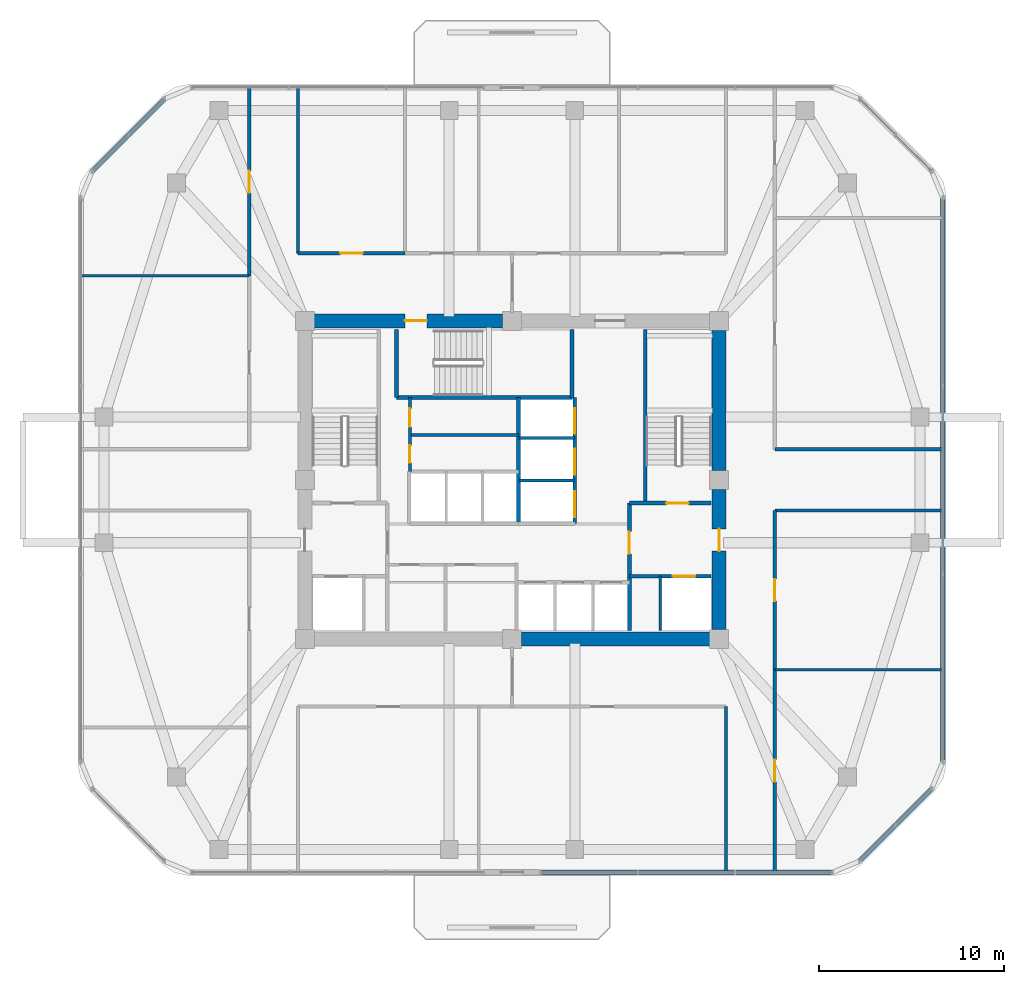
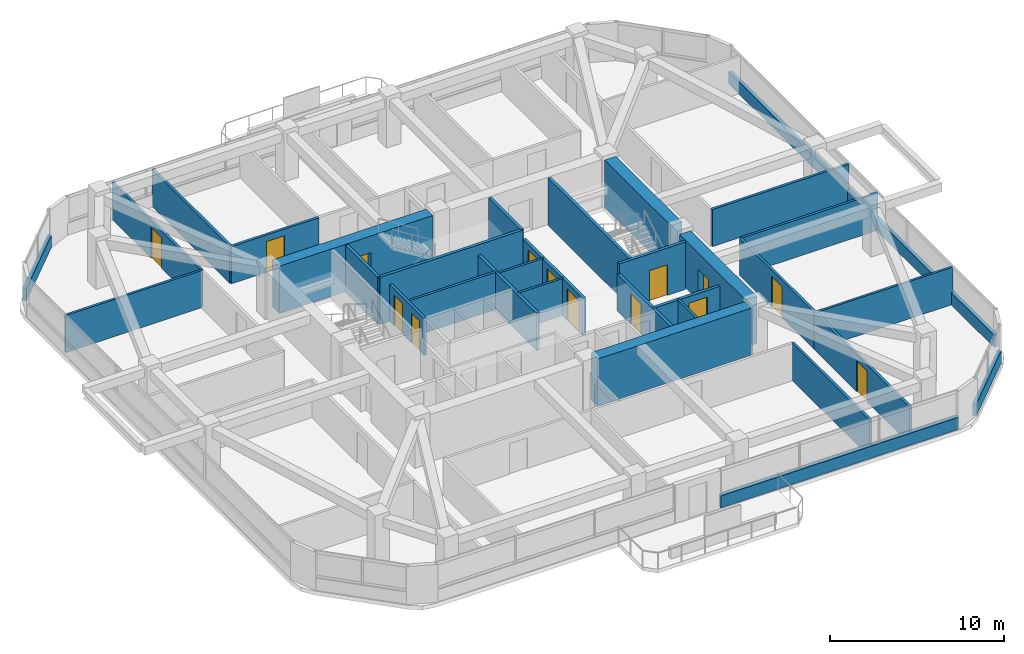
# One storey, part 8 of 11: 32 walls, 14 doors, 14 openings.
"""IFC4 building model written with IfcOpenShell, lengths in metres."""

import ifcopenshell
import ifcopenshell.guid

model = None  # the IFC model being written
_history = None  # IfcOwnerHistory: only IFC2X3 demands one
_inside = {}  # id of a spatial element -> (the spatial element, [elements in it])
_under = {}  # id of a project, library or spatial element -> (it, [spatial elements below it])
_declared = {}  # id of a project -> (the project, [libraries it declares])
_typed = {}  # id of a type object -> (the type object, [elements of that type])
_made_of = {}  # id of a material, layer set ... -> (it, [elements and type objects made of it])


def new_model(schema):
    """Start an empty IFC model of exactly this schema.

    Asked for "IFC4X3", IfcOpenShell would pick the latest addendum, in which some entities
    have other attributes; the version numbers below select the first issue.
    IFC2X3 requires an IfcOwnerHistory on every rooted entity: one is made here for all.
    """
    global model, _history
    if schema == "IFC4X3":
        model = ifcopenshell.file(schema_version=(4, 3, 0, 0))
    else:
        model = ifcopenshell.file(schema=schema)
    _inside.clear()
    _under.clear()
    _declared.clear()
    _typed.clear()
    _made_of.clear()
    _history = None
    if model.schema == "IFC2X3":
        org = make("IfcOrganization", Name="unknown")
        user = make(
            "IfcPersonAndOrganization",
            ThePerson=make("IfcPerson", FamilyName="unknown"),
            TheOrganization=org,
        )
        app = make(
            "IfcApplication",
            ApplicationDeveloper=org,
            Version="unknown",
            ApplicationFullName="unknown",
            ApplicationIdentifier="unknown",
        )
        _history = make(
            "IfcOwnerHistory",
            OwningUser=user,
            OwningApplication=app,
            ChangeAction="ADDED",
            CreationDate=0,
        )
    return model


def make(cls, **values):
    """One entity of the class cls with the attributes given. An attribute that is None is left unset."""
    return model.create_entity(
        cls, **{name: value for name, value in values.items() if value is not None}
    )


def rooted(cls, **values):
    """An entity with a GlobalId (a new one), such as an element, a storey or a relation."""
    return make(cls, GlobalId=ifcopenshell.guid.new(), OwnerHistory=_history, **values)


def si_unit(unit_type, name, prefix=None):
    """IfcSIUnit, for example si_unit("LENGTHUNIT", "METRE", prefix="MILLI")."""
    return make("IfcSIUnit", UnitType=unit_type, Prefix=prefix, Name=name)


def derived_unit(unit_type, elements):
    """IfcDerivedUnit: a product of units, each with its exponent."""
    return make(
        "IfcDerivedUnit",
        Elements=[
            make("IfcDerivedUnitElement", Unit=unit, Exponent=power)
            for unit, power in elements
        ],
        UnitType=unit_type,
    )


def assignment(units):
    """IfcUnitAssignment: the units of a project."""
    return None if units is None else make("IfcUnitAssignment", Units=units)


def point(xyz):
    """IfcCartesianPoint."""
    return None if xyz is None else make("IfcCartesianPoint", Coordinates=xyz)


def direction(xyz):
    """IfcDirection."""
    return None if xyz is None else make("IfcDirection", DirectionRatios=xyz)


def frame(location, z_axis=None, x_axis=None):
    """IfcAxis2Placement3D, a coordinate frame: its origin and axes. An axis left out is left unset."""
    return make(
        "IfcAxis2Placement3D",
        Location=point(location),
        Axis=direction(z_axis),
        RefDirection=direction(x_axis),
    )


def frame_2d(location, x_axis=None):
    """IfcAxis2Placement2D, a coordinate frame in the plane: its origin and x axis."""
    return make(
        "IfcAxis2Placement2D", Location=point(location), RefDirection=direction(x_axis)
    )


def origin():
    """The frame at (0, 0, 0) with its axes left unset."""
    return frame((0.0, 0.0, 0.0))


def place(relative_to, where):
    """IfcLocalPlacement: puts the frame where relative to a parent placement (None: the world)."""
    return make(
        "IfcLocalPlacement", PlacementRelTo=relative_to, RelativePlacement=where
    )


def context(
    kind, dimensions, precision=None, world=None, true_north=None, identifier=None
):
    """IfcGeometricRepresentationContext, for example the 3D "Model" context."""
    return make(
        "IfcGeometricRepresentationContext",
        ContextIdentifier=identifier,
        ContextType=kind,
        CoordinateSpaceDimension=dimensions,
        Precision=precision,
        WorldCoordinateSystem=world,
        TrueNorth=true_north,
    )


def subcontext(parent, identifier, kind, view, scale=None):
    """IfcGeometricRepresentationSubContext, for example "Body" below "Model"."""
    return make(
        "IfcGeometricRepresentationSubContext",
        ContextIdentifier=identifier,
        ContextType=kind,
        ParentContext=parent,
        TargetScale=scale,
        TargetView=view,
    )


def project(units=None, contexts=None):
    """IfcProject with its units and contexts."""
    return rooted(
        "IfcProject",
        Name="project",
        RepresentationContexts=contexts,
        UnitsInContext=assignment(units),
    )


def spatial(cls, under=None, at=None, **own):
    """A site, building, storey or space (cls), placed at a placement, below another one or the project."""
    s = rooted(cls, ObjectPlacement=at, **own)
    if under is not None:
        _under.setdefault(under.id(), (under, []))[1].append(s)
    return s


def profile(cls, at=None, kind="AREA", **sizes):
    """A parametric profile (cls). Its sizes go by their IFC names, for example OverallWidth=200.0."""
    return make(cls, ProfileType=kind, Position=at, **sizes)


def rectangle(**sizes):
    """IfcRectangleProfileDef."""
    return profile("IfcRectangleProfileDef", **sizes)


def extrude(swept, where, along, depth):
    """IfcExtrudedAreaSolid: the profile swept, set in the frame where, extruded along a direction by depth."""
    return make(
        "IfcExtrudedAreaSolid",
        SweptArea=swept,
        Position=where,
        ExtrudedDirection=direction(along),
        Depth=depth,
    )


def shape(context_of_items, identifier, shape_type, items):
    """IfcShapeRepresentation: the items that make up one representation, for example the "Body"."""
    return make(
        "IfcShapeRepresentation",
        ContextOfItems=context_of_items,
        RepresentationIdentifier=identifier,
        RepresentationType=shape_type,
        Items=items,
    )


def material(Name=None, Category=None):
    """IfcMaterial."""
    return make("IfcMaterial", Name=Name, Category=Category)


def layer(
    of_material, thickness, ventilated=None, Name=None, Category=None, Priority=None
):
    """IfcMaterialLayer: one layer of a wall or slab, of a material (None: an air gap)."""
    return make(
        "IfcMaterialLayer",
        Material=of_material,
        LayerThickness=thickness,
        IsVentilated=ventilated,
        Name=Name,
        Category=Category,
        Priority=Priority,
    )


def layer_set(layers, Name=None):
    """IfcMaterialLayerSet."""
    return make("IfcMaterialLayerSet", MaterialLayers=layers, LayerSetName=Name)


def made_of(thing, what):
    """Note that an element or type object is made of a material, layer set ...; save() writes the relation."""
    if what is not None:
        _made_of.setdefault(what.id(), (what, []))[1].append(thing)
    return thing


def type_object(cls, material=None, **own):
    """A type object (cls), such as IfcWallType, which elements share."""
    return made_of(rooted(cls, **own), material)


def element(
    cls,
    number,
    at=None,
    inside=None,
    cuts=None,
    type_object=None,
    material=None,
    context=None,
    identifier="Body",
    shape_type=None,
    held_by="IfcProductDefinitionShape",
    body=None,
    shapes=None,
    **own,
):
    """One element of the class cls, such as IfcWall. Its Tag is "e" and its number.

    at: its placement. inside: the storey or other place that contains it. cuts: it is an
    opening in that element (IfcRelVoidsElement). A single representation is given by context,
    identifier, shape_type and body (its items); several are given by shapes. held_by: the class
    of the entity that holds the representations. save() writes the other relations.
    """
    e = rooted(cls, Tag="e%d" % number, ObjectPlacement=at, **own)
    if body is not None:
        shapes = [shape(context, identifier, shape_type, body)]
    if shapes is not None:
        e.Representation = make(held_by, Representations=shapes)
    if inside is not None:
        _inside.setdefault(inside.id(), (inside, []))[1].append(e)
    if cuts is not None:
        rooted(
            "IfcRelVoidsElement", RelatingBuildingElement=cuts, RelatedOpeningElement=e
        )
    if type_object is not None:
        _typed.setdefault(type_object.id(), (type_object, []))[1].append(e)
    return made_of(e, material)


def fill(opening, filler):
    """IfcRelFillsElement: the door or window that sits in an opening."""
    return rooted(
        "IfcRelFillsElement",
        RelatingOpeningElement=opening,
        RelatedBuildingElement=filler,
    )


def aggregate(whole, parts):
    """IfcRelAggregates: a whole, such as a stair, and the parts it consists of."""
    return rooted("IfcRelAggregates", RelatingObject=whole, RelatedObjects=parts)


def save(model, path):
    """Write the relations noted so far, then the file.

    IfcRelAggregates (storeys below a building ...), IfcRelContainedInSpatialStructure (elements
    in a storey), IfcRelDefinesByType, IfcRelAssociatesMaterial and IfcRelDeclares: one each for
    every whole, place, type object, material and project.
    """
    for whole, parts in _under.values():
        aggregate(whole, parts)
    for where, things in _inside.values():
        rooted(
            "IfcRelContainedInSpatialStructure",
            RelatedElements=things,
            RelatingStructure=where,
        )
    for kind, things in _typed.values():
        rooted("IfcRelDefinesByType", RelatedObjects=things, RelatingType=kind)
    for what, things in _made_of.values():
        rooted("IfcRelAssociatesMaterial", RelatedObjects=things, RelatingMaterial=what)
    for by, libraries in _declared.values():
        rooted("IfcRelDeclares", RelatingContext=by, RelatedDefinitions=libraries)
    model.write(path)


model = new_model("IFC4")

# Units and contexts
model_context = context("Model", 3, precision=1e-05, world=origin(), true_north=direction((0.0, 1.0)))
body_context = subcontext(model_context, "Body", "Model", "MODEL_VIEW")
ifc_project = project(units=[si_unit("LENGTHUNIT", "METRE"), si_unit("AREAUNIT", "SQUARE_METRE"), si_unit("VOLUMEUNIT", "CUBIC_METRE"), si_unit("PLANEANGLEUNIT", "RADIAN"), si_unit("MASSUNIT", "GRAM", prefix="KILO"), derived_unit("THERMALTRANSMITTANCEUNIT", [(si_unit("POWERUNIT", "WATT"), 1), (si_unit("LENGTHUNIT", "METRE"), -2), (si_unit("THERMODYNAMICTEMPERATUREUNIT", "KELVIN"), -1)])], contexts=[model_context])

# Site, building, storey
site_placement = place(None, origin())
site = spatial("IfcSite", under=ifc_project, at=site_placement, CompositionType="ELEMENT")
building_placement = place(site_placement, origin())
building = spatial("IfcBuilding", under=site, at=building_placement, Name="Koralith Skygarden Medical Center", CompositionType="ELEMENT")
storey_placement = place(building_placement, frame((0.0, 0.0, 167.219970703125)))
storey = spatial("IfcBuildingStorey", under=building, at=storey_placement, Name="L43", CompositionType="ELEMENT", Elevation=167.219970703125)

# Walls
ifc_material_1 = material(Name="Gypsum Board Partition")
ifc_layer_1 = layer(ifc_material_1, 0.14990234375)
ifc_layer_set_1 = layer_set([ifc_layer_1], Name="Gypsum Board Partition")
wall_type_1 = type_object("IfcWallType", Name="Clinical Acoustic Partition 150", PredefinedType="PARTITIONING", material=ifc_layer_set_1)
for number, where, z_axis, x_axis, name in (
    (1, (22.7900390625, 36.93896484375, 0.0), (0.0, 0.0, 1.0), (-1.0, 0.0, 0.0), "L43 Clinical Acoustic Partition 150 W-PART-L43-WN-01"),
    (2, (51.2099609375, 15.64208984375, 0.0), (0.0, 0.0, 1.0), (1.0, 0.0, 0.0), "L43 Clinical Acoustic Partition 150 W-PART-L43-ES-01"),
):
    element("IfcWall", number, at=place(storey_placement, frame(where, z_axis=z_axis, x_axis=x_axis)), inside=storey, type_object=wall_type_1, Name=name, PredefinedType="PARTITIONING", context=body_context, shape_type="SweptSolid", body=[
        extrude(rectangle(XDim=9.073974609375, YDim=0.14990234375, at=frame_2d((4.537109375, 0.0))), origin(), (0.0, 0.0, 1.0), 2.610107421875),
    ])
ifc_layer_2 = layer(ifc_material_1, 0.1650390625)
ifc_layer_set_2 = layer_set([ifc_layer_2], Name="Gypsum Board Partition")
wall_type_2 = type_object("IfcWallType", Name="Clinical Corridor Partition 165", PredefinedType="PARTITIONING", material=ifc_layer_set_2)
wall_1_placement = place(storey_placement, frame((25.429931640625, 38.159912109375, 0.0), z_axis=(0.0, 0.0, 1.0), x_axis=(0.0, 1.0, 0.0)))
element("IfcWall", 3, at=wall_1_placement, inside=storey, type_object=wall_type_2, Name="L43 Clinical Corridor Partition 165 W-HCOR-L43-NW", PredefinedType="PARTITIONING", context=body_context, shape_type="SweptSolid", body=[
    extrude(rectangle(XDim=8.940185546875, YDim=0.1650390625, at=frame_2d((4.47021484375, 0.0))), origin(), (0.0, 0.0, 1.0), 2.610107421875),
])
wall_2_placement = place(storey_placement, frame((48.570068359375, 4.699951171875, 0.0), z_axis=(0.0, 0.0, 1.0), x_axis=(0.0, 1.0, 0.0)))
element("IfcWall", 4, at=wall_2_placement, inside=storey, type_object=wall_type_2, Name="L43 Clinical Corridor Partition 165 W-HCOR-L43-SE", PredefinedType="PARTITIONING", context=body_context, shape_type="SweptSolid", body=[
    extrude(rectangle(XDim=8.93994140625, YDim=0.1650390625, at=frame_2d((4.469970703125, 0.0))), origin(), (0.0, 0.0, 1.0), 2.610107421875),
])
for number, where, z_axis, x_axis, name in (
    (5, (51.2099609375, 24.239990234375, 0.0), (0.0, 0.0, 1.0), (1.0, 0.0, 0.0), "L43 Clinical Corridor Partition 165 W-HCOR-L43-EWS-E"),
    (6, (51.2099609375, 27.56005859375, 0.0), (0.0, 0.0, 1.0), (1.0, 0.0, 0.0), "L43 Clinical Corridor Partition 165 W-HCOR-L43-EWN-E"),
):
    element("IfcWall", number, at=place(storey_placement, frame(where, z_axis=z_axis, x_axis=x_axis)), inside=storey, type_object=wall_type_2, Name=name, PredefinedType="PARTITIONING", context=body_context, shape_type="SweptSolid", body=[
        extrude(rectangle(XDim=9.073974609375, YDim=0.1650390625, at=frame_2d((4.537109375, 0.0))), origin(), (0.0, 0.0, 1.0), 2.610107421875),
    ])

# Wall, opening, door
wall_3_placement = place(storey_placement, frame((25.429931640625, 38.159912109375, 0.0), z_axis=(0.0, 0.0, 1.0), x_axis=(1.0, 0.0, 0.0)))
wall_3 = element("IfcWall", 7, at=wall_3_placement, inside=storey, type_object=wall_type_2, Name="L43 Clinical Corridor Partition 165 W-CORR-L43-N-01", PredefinedType="PARTITIONING", context=body_context, shape_type="SweptSolid", body=[
    extrude(rectangle(XDim=5.7900390625, YDim=0.1650390625, at=frame_2d((2.89501953125, 0.0))), origin(), (0.0, 0.0, 1.0), 2.610107421875),
])
opening_1_placement = place(wall_3_placement, frame((2.294921875, 0.0, 0.0)))
opening_1 = element("IfcOpeningElement", 8, at=opening_1_placement, cuts=wall_3, Name="Opening D-CLN", PredefinedType="OPENING", context=body_context, shape_type="SweptSolid", body=[
    extrude(rectangle(XDim=1.199951171875, YDim=2.14990234375, at=frame_2d((0.60009765625, 1.074951171875))), frame((0.0, 0.092529296875, 0.0), z_axis=(0.0, -1.0, 0.0), x_axis=(1.0, 0.0, 0.0)), (0.0, 0.0, 1.0), 0.18505859375),
])
ifc_material_2 = material(Name="Aluminium 6063-T6", Category="aluminium")
door_type_1 = type_object("IfcDoorType", Name="Clinical Corridor Door D-CLN 1200", OperationType="NOTDEFINED", PredefinedType="DOOR", material=ifc_material_2)
door_1_placement = place(opening_1_placement, origin())
door_1 = element("IfcDoor", 9, at=door_1_placement, inside=storey, type_object=door_type_1, Name="L43 Neurological Gait Rehab Gym Hall 01 Door", OperationType="SINGLE_SWING_RIGHT", OverallHeight=2.14990234375, OverallWidth=1.199951171875, PredefinedType="DOOR", context=body_context, shape_type="SweptSolid", body=[
    extrude(rectangle(XDim=1.199951171875, YDim=2.14990234375, at=frame_2d((0.60009765625, 1.074951171875))), frame((0.0, 0.02490234375, 0.0), z_axis=(0.0, -1.0, 0.0), x_axis=(1.0, 0.0, 0.0)), (0.0, 0.0, 1.0), 0.050048828125),
])
fill(opening_1, door_1)

wall_4_placement = place(storey_placement, frame((22.7900390625, 36.93896484375, 0.0), z_axis=(0.0, 0.0, 1.0), x_axis=(0.0, 1.0, 0.0)))
wall_4 = element("IfcWall", 10, at=wall_4_placement, inside=storey, type_object=wall_type_2, Name="L43 Clinical Corridor Partition 165 W-CORR-L43-WN-02", PredefinedType="PARTITIONING", context=body_context, shape_type="SweptSolid", body=[
    extrude(rectangle(XDim=10.1611328125, YDim=0.1650390625, at=frame_2d((5.08056640625, 0.0))), origin(), (0.0, 0.0, 1.0), 2.610107421875),
])
opening_2_placement = place(wall_4_placement, frame((4.48095703125, 0.0, 0.0)))
opening_2 = element("IfcOpeningElement", 11, at=opening_2_placement, cuts=wall_4, Name="Opening D-CLN", PredefinedType="OPENING", context=body_context, shape_type="SweptSolid", body=[
    extrude(rectangle(XDim=1.199951171875, YDim=2.14990234375, at=frame_2d((0.60009765625, 1.074951171875))), frame((0.0, 0.092529296875, 0.0), z_axis=(0.0, -1.0, 0.0), x_axis=(1.0, 0.0, 0.0)), (0.0, 0.0, 1.0), 0.18505859375),
])
door_2_placement = place(opening_2_placement, frame((1.199951171875, 0.0, 0.0), z_axis=(0.0, 0.0, 1.0), x_axis=(-1.0, 0.0, 0.0)))
door_2 = element("IfcDoor", 12, at=door_2_placement, inside=storey, type_object=door_type_1, Name="L43 Clinical Consultation Office 10 Door", OperationType="SINGLE_SWING_LEFT", OverallHeight=2.14990234375, OverallWidth=1.199951171875, PredefinedType="DOOR", context=body_context, shape_type="SweptSolid", body=[
    extrude(rectangle(XDim=1.199951171875, YDim=2.14990234375, at=frame_2d((0.60009765625, 1.074951171875))), frame((0.0, 0.02490234375, 0.0), z_axis=(0.0, -1.0, 0.0), x_axis=(1.0, 0.0, 0.0)), (0.0, 0.0, 1.0), 0.050048828125),
])
fill(opening_2, door_2)

wall_5_placement = place(storey_placement, frame((51.2099609375, 4.699951171875, 0.0), z_axis=(0.0, 0.0, 1.0), x_axis=(0.0, 1.0, 0.0)))
wall_5 = element("IfcWall", 13, at=wall_5_placement, inside=storey, type_object=wall_type_2, Name="L43 Clinical Corridor Partition 165 W-CORR-L43-ES-01", PredefinedType="PARTITIONING", context=body_context, shape_type="SweptSolid", body=[
    extrude(rectangle(XDim=10.942138671875, YDim=0.1650390625, at=frame_2d((5.47119140625, 0.0))), origin(), (0.0, 0.0, 1.0), 2.610107421875),
])
opening_3_placement = place(wall_5_placement, frame((4.87109375, 0.0, 0.0)))
opening_3 = element("IfcOpeningElement", 14, at=opening_3_placement, cuts=wall_5, Name="Opening D-CLN", PredefinedType="OPENING", context=body_context, shape_type="SweptSolid", body=[
    extrude(rectangle(XDim=1.199951171875, YDim=2.14990234375, at=frame_2d((0.60009765625, 1.074951171875))), frame((0.0, 0.092529296875, 0.0), z_axis=(0.0, -1.0, 0.0), x_axis=(1.0, 0.0, 0.0)), (0.0, 0.0, 1.0), 0.18505859375),
])
door_3_placement = place(opening_3_placement, origin())
door_3 = element("IfcDoor", 15, at=door_3_placement, inside=storey, type_object=door_type_1, Name="L43 Neurological Gait Rehab Gym Hall 11 Door", OperationType="SINGLE_SWING_RIGHT", OverallHeight=2.14990234375, OverallWidth=1.199951171875, PredefinedType="DOOR", context=body_context, shape_type="SweptSolid", body=[
    extrude(rectangle(XDim=1.199951171875, YDim=2.14990234375, at=frame_2d((0.60009765625, 1.074951171875))), frame((0.0, 0.02490234375, 0.0), z_axis=(0.0, -1.0, 0.0), x_axis=(1.0, 0.0, 0.0)), (0.0, 0.0, 1.0), 0.050048828125),
])
fill(opening_3, door_3)

wall_6_placement = place(storey_placement, frame((51.2099609375, 15.64208984375, 0.0), z_axis=(0.0, 0.0, 1.0), x_axis=(0.0, 1.0, 0.0)))
wall_6 = element("IfcWall", 16, at=wall_6_placement, inside=storey, type_object=wall_type_2, Name="L43 Clinical Corridor Partition 165 W-CORR-L43-ES-02", PredefinedType="PARTITIONING", context=body_context, shape_type="SweptSolid", body=[
    extrude(rectangle(XDim=8.597900390625, YDim=0.1650390625, at=frame_2d((4.298828125, 0.0))), origin(), (0.0, 0.0, 1.0), 2.610107421875),
])
opening_4_placement = place(wall_6_placement, frame((3.698974609375, 0.0, 0.0)))
opening_4 = element("IfcOpeningElement", 17, at=opening_4_placement, cuts=wall_6, Name="Opening D-CLN", PredefinedType="OPENING", context=body_context, shape_type="SweptSolid", body=[
    extrude(rectangle(XDim=1.199951171875, YDim=2.14990234375, at=frame_2d((0.60009765625, 1.074951171875))), frame((0.0, 0.092529296875, 0.0), z_axis=(0.0, -1.0, 0.0), x_axis=(1.0, 0.0, 0.0)), (0.0, 0.0, 1.0), 0.18505859375),
])
door_4_placement = place(opening_4_placement, origin())
door_4 = element("IfcDoor", 18, at=door_4_placement, inside=storey, type_object=door_type_1, Name="L43 Balance Therapy Exercise Hall 12 Door", OperationType="SINGLE_SWING_LEFT", OverallHeight=2.14990234375, OverallWidth=1.199951171875, PredefinedType="DOOR", context=body_context, shape_type="SweptSolid", body=[
    extrude(rectangle(XDim=1.199951171875, YDim=2.14990234375, at=frame_2d((0.60009765625, 1.074951171875))), frame((0.0, 0.02490234375, 0.0), z_axis=(0.0, -1.0, 0.0), x_axis=(1.0, 0.0, 0.0)), (0.0, 0.0, 1.0), 0.050048828125),
])
fill(opening_4, door_4)

ifc_layer_3 = layer(ifc_material_1, 0.199951171875)
ifc_layer_set_3 = layer_set([ifc_layer_3], Name="Gypsum Board Partition")
wall_type_3 = type_object("IfcWallType", Name="Fire Shaft Wall 200", PredefinedType="SOLIDWALL", material=ifc_layer_set_3)
wall_7_placement = place(storey_placement, frame((43.35009765625, 20.699951171875, 0.0), z_axis=(0.0, 0.0, 1.0), x_axis=(1.0, 0.0, 0.0)))
wall_7 = element("IfcWall", 19, at=wall_7_placement, inside=storey, type_object=wall_type_3, Name="L43 Fire Shaft Wall 200 W-CORE-L43-FF2-N", PredefinedType="SOLIDWALL", context=body_context, shape_type="SweptSolid", body=[
    extrude(rectangle(XDim=4.39990234375, YDim=0.199951171875, at=frame_2d((2.199951171875, 0.0))), origin(), (0.0, 0.0, 1.0), 2.610107421875),
])
opening_5_placement = place(wall_7_placement, frame((2.35009765625, 0.0, 0.0)))
opening_5 = element("IfcOpeningElement", 20, at=opening_5_placement, cuts=wall_7, Name="Opening LD-FF", PredefinedType="OPENING", context=body_context, shape_type="SweptSolid", body=[
    extrude(rectangle(XDim=1.199951171875, YDim=2.14990234375, at=frame_2d((0.60009765625, 1.074951171875))), frame((0.0, 0.10986328125, 0.0), z_axis=(0.0, -1.0, 0.0), x_axis=(1.0, 0.0, 0.0)), (0.0, 0.0, 1.0), 0.219970703125),
])
ifc_material_3 = material(Name="Steel ASTM A500 Grade C", Category="steel")
door_type_2 = type_object("IfcDoorType", Name="Fire Lift Sliding Landing Door LD-FF 1200", OperationType="NOTDEFINED", PredefinedType="DOOR", material=ifc_material_3)
door_5_placement = place(opening_5_placement, origin())
door_5 = element("IfcDoor", 21, at=door_5_placement, inside=storey, type_object=door_type_2, Name="L43 Fire Service Elevator FF2 Landing Door", OperationType="SLIDING_TO_RIGHT", OverallHeight=2.14990234375, OverallWidth=1.199951171875, PredefinedType="DOOR", context=body_context, shape_type="SweptSolid", body=[
    extrude(rectangle(XDim=1.199951171875, YDim=2.14990234375, at=frame_2d((0.60009765625, 1.074951171875))), frame((0.0, 0.02490234375, 0.0), z_axis=(0.0, -1.0, 0.0), x_axis=(1.0, 0.0, 0.0)), (0.0, 0.0, 1.0), 0.050048828125),
])
fill(opening_5, door_5)

wall_8_placement = place(storey_placement, frame((43.35009765625, 17.75, 0.0), z_axis=(0.0, 0.0, 1.0), x_axis=(0.0, 1.0, 0.0)))
wall_8 = element("IfcWall", 22, at=wall_8_placement, inside=storey, type_object=wall_type_3, Name="L43 Fire Shaft Wall 200 W-CORE-L43-FSAEE-W", PredefinedType="SOLIDWALL", context=body_context, shape_type="SweptSolid", body=[
    extrude(rectangle(XDim=6.89990234375, YDim=0.199951171875, at=frame_2d((3.449951171875, 0.0))), origin(), (0.0, 0.0, 1.0), 2.610107421875),
])
opening_6_placement = place(wall_8_placement, frame((4.14990234375, 0.0, 0.0)))
opening_6 = element("IfcOpeningElement", 23, at=opening_6_placement, cuts=wall_8, Name="Opening D-ST60", PredefinedType="OPENING", context=body_context, shape_type="SweptSolid", body=[
    extrude(rectangle(XDim=1.199951171875, YDim=2.14990234375, at=frame_2d((0.60009765625, 1.074951171875))), frame((0.0, 0.10986328125, 0.0), z_axis=(0.0, -1.0, 0.0), x_axis=(1.0, 0.0, 0.0)), (0.0, 0.0, 1.0), 0.219970703125),
])
door_type_3 = type_object("IfcDoorType", Name="Smokeproof Stair Fire Door FD60S 1200", OperationType="NOTDEFINED", PredefinedType="DOOR", material=ifc_material_3)
door_6_placement = place(opening_6_placement, frame((1.199951171875, 0.0, 0.0), z_axis=(0.0, 0.0, 1.0), x_axis=(-1.0, 0.0, 0.0)))
door_6 = element("IfcDoor", 24, at=door_6_placement, inside=storey, type_object=door_type_3, Name="L43 East Firefighting Lobby Inner Fire Door", OperationType="SINGLE_SWING_RIGHT", OverallHeight=2.14990234375, OverallWidth=1.199951171875, PredefinedType="DOOR", context=body_context, shape_type="SweptSolid", body=[
    extrude(rectangle(XDim=1.199951171875, YDim=2.14990234375, at=frame_2d((0.60009765625, 1.074951171875))), frame((0.0, 0.02490234375, 0.0), z_axis=(0.0, -1.0, 0.0), x_axis=(1.0, 0.0, 0.0)), (0.0, 0.0, 1.0), 0.050048828125),
])
fill(opening_6, door_6)

# Wall
wall_9_placement = place(storey_placement, frame((37.35009765625, 23.5400390625, 0.0), z_axis=(0.0, 0.0, 1.0), x_axis=(0.0, 1.0, 0.0)))
element("IfcWall", 25, at=wall_9_placement, inside=storey, type_object=wall_type_3, Name="L43 Fire Shaft Wall 200 W-CORE-L43-SV-W", PredefinedType="SOLIDWALL", context=body_context, shape_type="SweptSolid", body=[
    extrude(rectangle(XDim=6.820068359375, YDim=0.199951171875, at=frame_2d((3.41015625, 0.0))), origin(), (0.0, 0.0, 1.0), 2.610107421875),
])

# Wall, openings, doors
wall_10_placement = place(storey_placement, frame((40.39990234375, 23.5400390625, 0.0), z_axis=(0.0, 0.0, 1.0), x_axis=(0.0, 1.0, 0.0)))
wall_10 = element("IfcWall", 26, at=wall_10_placement, inside=storey, type_object=wall_type_3, Name="L43 Fire Shaft Wall 200 W-CORE-L43-SV-E", PredefinedType="SOLIDWALL", context=body_context, shape_type="SweptSolid", body=[
    extrude(rectangle(XDim=6.820068359375, YDim=0.199951171875, at=frame_2d((3.41015625, 0.0))), origin(), (0.0, 0.0, 1.0), 2.610107421875),
])
opening_7_placement = place(wall_10_placement, frame((0.35009765625, 0.0, 0.0)))
opening_7 = element("IfcOpeningElement", 27, at=opening_7_placement, cuts=wall_10, Name="Opening LD-SV", PredefinedType="OPENING", context=body_context, shape_type="SweptSolid", body=[
    extrude(rectangle(XDim=1.39990234375, YDim=2.199951171875, at=frame_2d((0.699951171875, 1.10009765625))), frame((0.0, 0.10986328125, 0.0), z_axis=(0.0, -1.0, 0.0), x_axis=(1.0, 0.0, 0.0)), (0.0, 0.0, 1.0), 0.219970703125),
])
opening_8_placement = place(wall_10_placement, frame((2.64990234375, 0.0, 0.0)))
opening_8 = element("IfcOpeningElement", 28, at=opening_8_placement, cuts=wall_10, Name="Opening LD-SV", PredefinedType="OPENING", context=body_context, shape_type="SweptSolid", body=[
    extrude(rectangle(XDim=1.39990234375, YDim=2.199951171875, at=frame_2d((0.699951171875, 1.10009765625))), frame((0.0, 0.10986328125, 0.0), z_axis=(0.0, -1.0, 0.0), x_axis=(1.0, 0.0, 0.0)), (0.0, 0.0, 1.0), 0.219970703125),
])
opening_9_placement = place(wall_10_placement, frame((4.85009765625, 0.0, 0.0)))
opening_9 = element("IfcOpeningElement", 29, at=opening_9_placement, cuts=wall_10, Name="Opening LD-SV", PredefinedType="OPENING", context=body_context, shape_type="SweptSolid", body=[
    extrude(rectangle(XDim=1.39990234375, YDim=2.199951171875, at=frame_2d((0.699951171875, 1.10009765625))), frame((0.0, 0.10986328125, 0.0), z_axis=(0.0, -1.0, 0.0), x_axis=(1.0, 0.0, 0.0)), (0.0, 0.0, 1.0), 0.219970703125),
])
door_type_4 = type_object("IfcDoorType", Name="Bed Lift Sliding Landing Door LD-SV 1400", OperationType="NOTDEFINED", PredefinedType="DOOR", material=ifc_material_3)
door_7_placement = place(opening_7_placement, origin())
door_7 = element("IfcDoor", 30, at=door_7_placement, inside=storey, type_object=door_type_4, Name="L43 Bed Elevator BD1 Landing Door", OperationType="SLIDING_TO_LEFT", OverallHeight=2.199951171875, OverallWidth=1.39990234375, PredefinedType="DOOR", context=body_context, shape_type="SweptSolid", body=[
    extrude(rectangle(XDim=1.39990234375, YDim=2.199951171875, at=frame_2d((0.699951171875, 1.10009765625))), frame((0.0, 0.02490234375, 0.0), z_axis=(0.0, -1.0, 0.0), x_axis=(1.0, 0.0, 0.0)), (0.0, 0.0, 1.0), 0.050048828125),
])
fill(opening_7, door_7)
door_8_placement = place(opening_8_placement, origin())
door_8 = element("IfcDoor", 31, at=door_8_placement, inside=storey, type_object=door_type_4, Name="L43 Service Elevator BD2 Landing Door", OperationType="SLIDING_TO_LEFT", OverallHeight=2.199951171875, OverallWidth=1.39990234375, PredefinedType="DOOR", context=body_context, shape_type="SweptSolid", body=[
    extrude(rectangle(XDim=1.39990234375, YDim=2.199951171875, at=frame_2d((0.699951171875, 1.10009765625))), frame((0.0, 0.02490234375, 0.0), z_axis=(0.0, -1.0, 0.0), x_axis=(1.0, 0.0, 0.0)), (0.0, 0.0, 1.0), 0.050048828125),
])
fill(opening_8, door_8)
door_9_placement = place(opening_9_placement, origin())
door_9 = element("IfcDoor", 32, at=door_9_placement, inside=storey, type_object=door_type_4, Name="L43 Trauma Elevator TR1 Landing Door", OperationType="SLIDING_TO_RIGHT", OverallHeight=2.199951171875, OverallWidth=1.39990234375, PredefinedType="DOOR", context=body_context, shape_type="SweptSolid", body=[
    extrude(rectangle(XDim=1.39990234375, YDim=2.199951171875, at=frame_2d((0.699951171875, 1.10009765625))), frame((0.0, 0.02490234375, 0.0), z_axis=(0.0, -1.0, 0.0), x_axis=(1.0, 0.0, 0.0)), (0.0, 0.0, 1.0), 0.050048828125),
])
fill(opening_9, door_9)

# Walls
ifc_material_4 = material(Name="Warm Oolitic Limestone Cladding", Category="masonry")
ifc_layer_4 = layer(ifc_material_4, 0.239990234375)
ifc_layer_set_4 = layer_set([ifc_layer_4], Name="Warm Oolitic Limestone Cladding")
wall_type_4 = type_object("IfcWallType", Name="Limestone Spandrel Sill Backup Wall 240", PredefinedType="SOLIDWALL", material=ifc_layer_set_4)
wall_11_placement = place(storey_placement, frame((38.5390625, 4.679931640625, 0.0), z_axis=(0.0, 0.0, 1.0), x_axis=(1.0, 0.0, 0.0)))
element("IfcWall", 33, at=wall_11_placement, inside=storey, type_object=wall_type_4, Name="L43 Sill Spandrel S-R", PredefinedType="SOLIDWALL", context=body_context, shape_type="SweptSolid", body=[
    extrude(rectangle(XDim=15.7900390625, YDim=0.239990234375, at=frame_2d((7.89501953125, 0.0))), origin(), (0.0, 0.0, 1.0), 0.85009765625),
])
wall_12_placement = place(storey_placement, frame((55.780029296875, 5.281005859375, 0.0), z_axis=(0.0, 0.0, 1.0), x_axis=(0.707084777957, 0.707128783731, 0.0)))
element("IfcWall", 34, at=wall_12_placement, inside=storey, type_object=wall_type_4, Name="L43 Sill Spandrel SE", PredefinedType="SOLIDWALL", context=body_context, shape_type="SweptSolid", body=[
    extrude(rectangle(XDim=5.5478515625, YDim=0.239990234375, at=frame_2d((2.77392578125, 0.0))), origin(), (0.0, 0.0, 1.0), 0.85009765625),
])
wall_13_placement = place(storey_placement, frame((60.303955078125, 10.655029296875, 0.0), z_axis=(0.0, 0.0, 1.0), x_axis=(0.0, 1.0, 0.0)))
element("IfcWall", 35, at=wall_13_placement, inside=storey, type_object=wall_type_4, Name="L43 Sill Spandrel E", PredefinedType="SOLIDWALL", context=body_context, shape_type="SweptSolid", body=[
    extrude(rectangle(XDim=30.489990234375, YDim=0.239990234375, at=frame_2d((15.2451171875, 0.0))), origin(), (0.0, 0.0, 1.0), 0.85009765625),
])
wall_14_placement = place(storey_placement, frame((18.219970703125, 46.51904296875, 0.0), z_axis=(0.0, 0.0, 1.0), x_axis=(-0.707084777957, -0.707128783731, 0.0)))
element("IfcWall", 36, at=wall_14_placement, inside=storey, type_object=wall_type_4, Name="L43 Sill Spandrel NW", PredefinedType="SOLIDWALL", context=body_context, shape_type="SweptSolid", body=[
    extrude(rectangle(XDim=5.5478515625, YDim=0.239990234375, at=frame_2d((2.77392578125, 0.0))), origin(), (0.0, 0.0, 1.0), 0.85009765625),
])
ifc_material_5 = material(Name="Concrete C70/85", Category="concrete")
ifc_layer_5 = layer(ifc_material_5, 0.75)
ifc_layer_set_5 = layer_set([ifc_layer_5], Name="Concrete C70/85")
wall_type_5 = type_object("IfcWallType", Name="Mid Core Shear Wall 750", PredefinedType="SHEAR", material=ifc_layer_set_5)
wall_15_placement = place(storey_placement, frame((37.5048828125, 17.300048828125, 0.0), z_axis=(0.0, 0.0, 1.0), x_axis=(1.0, 0.0, 0.0)))
element("IfcWall", 37, at=wall_15_placement, inside=storey, type_object=wall_type_5, Name="L43 Core Shear Wall Segment 2", PredefinedType="SHEAR", context=body_context, shape_type="SweptSolid", body=[
    extrude(rectangle(XDim=10.190185546875, YDim=0.75, at=frame_2d((5.09521484375, 0.0))), origin(), (0.0, 0.0, 1.0), 3.320068359375),
])

# Wall, opening, door
wall_16_placement = place(storey_placement, frame((48.199951171875, 17.804931640625, 0.0), z_axis=(0.0, 0.0, 1.0), x_axis=(0.0, 1.0, 0.0)))
wall_16 = element("IfcWall", 38, at=wall_16_placement, inside=storey, type_object=wall_type_5, Name="L43 Core Shear Wall Segment 3", PredefinedType="SHEAR", context=body_context, shape_type="SweptSolid", body=[
    extrude(rectangle(XDim=7.590087890625, YDim=0.75, at=frame_2d((3.794921875, 0.0))), origin(), (0.0, 0.0, 1.0), 3.320068359375),
])
opening_10_placement = place(wall_16_placement, frame((4.2451171875, 0.0, 0.0)))
opening_10 = element("IfcOpeningElement", 39, at=opening_10_placement, cuts=wall_16, Name="Opening D-ST60", PredefinedType="OPENING", context=body_context, shape_type="SweptSolid", body=[
    extrude(rectangle(XDim=1.199951171875, YDim=2.14990234375, at=frame_2d((0.60009765625, 1.074951171875))), frame((0.0, 0.385009765625, 0.0), z_axis=(0.0, -1.0, 0.0), x_axis=(1.0, 0.0, 0.0)), (0.0, 0.0, 1.0), 0.77001953125),
])
door_10_placement = place(opening_10_placement, frame((1.199951171875, 0.0, 0.0), z_axis=(0.0, 0.0, 1.0), x_axis=(-1.0, 0.0, 0.0)))
door_10 = element("IfcDoor", 40, at=door_10_placement, inside=storey, type_object=door_type_3, Name="L43 East Corridor to Firefighting Lobby Door", OperationType="SINGLE_SWING_RIGHT", OverallHeight=2.14990234375, OverallWidth=1.199951171875, PredefinedType="DOOR", context=body_context, shape_type="SweptSolid", body=[
    extrude(rectangle(XDim=1.199951171875, YDim=2.14990234375, at=frame_2d((0.60009765625, 1.074951171875))), frame((0.0, 0.02490234375, 0.0), z_axis=(0.0, -1.0, 0.0), x_axis=(1.0, 0.0, 0.0)), (0.0, 0.0, 1.0), 0.050048828125),
])
fill(opening_10, door_10)

# Wall
wall_17_placement = place(storey_placement, frame((48.199951171875, 26.405029296875, 0.0), z_axis=(0.0, 0.0, 1.0), x_axis=(0.0, 1.0, 0.0)))
element("IfcWall", 41, at=wall_17_placement, inside=storey, type_object=wall_type_5, Name="L43 Core Shear Wall Segment 4", PredefinedType="SHEAR", context=body_context, shape_type="SweptSolid", body=[
    extrude(rectangle(XDim=7.590087890625, YDim=0.75, at=frame_2d((3.794921875, 0.0))), origin(), (0.0, 0.0, 1.0), 3.320068359375),
])

# Wall, opening, door
wall_18_placement = place(storey_placement, frame((36.4951171875, 34.5, 0.0), z_axis=(0.0, 0.0, 1.0), x_axis=(-1.0, 0.0, 0.0)))
wall_18 = element("IfcWall", 42, at=wall_18_placement, inside=storey, type_object=wall_type_5, Name="L43 Core Shear Wall Segment 6", PredefinedType="SHEAR", context=body_context, shape_type="SweptSolid", body=[
    extrude(rectangle(XDim=10.190185546875, YDim=0.75, at=frame_2d((5.09521484375, 0.0))), origin(), (0.0, 0.0, 1.0), 3.320068359375),
])
opening_11_placement = place(wall_18_placement, frame((4.094970703125, 0.0, 0.0)))
opening_11 = element("IfcOpeningElement", 43, at=opening_11_placement, cuts=wall_18, Name="Opening D-ST60", PredefinedType="OPENING", context=body_context, shape_type="SweptSolid", body=[
    extrude(rectangle(XDim=1.199951171875, YDim=2.14990234375, at=frame_2d((0.60009765625, 1.074951171875))), frame((0.0, 0.385009765625, 0.0), z_axis=(0.0, -1.0, 0.0), x_axis=(1.0, 0.0, 0.0)), (0.0, 0.0, 1.0), 0.77001953125),
])
door_11_placement = place(opening_11_placement, frame((1.199951171875, 0.0, 0.0), z_axis=(0.0, 0.0, 1.0), x_axis=(-1.0, 0.0, 0.0)))
door_11 = element("IfcDoor", 44, at=door_11_placement, inside=storey, type_object=door_type_3, Name="L43 Exit Stair ST3 Fire Door", OperationType="SINGLE_SWING_LEFT", OverallHeight=2.14990234375, OverallWidth=1.199951171875, PredefinedType="DOOR", context=body_context, shape_type="SweptSolid", body=[
    extrude(rectangle(XDim=1.199951171875, YDim=2.14990234375, at=frame_2d((0.60009765625, 1.074951171875))), frame((0.0, 0.02490234375, 0.0), z_axis=(0.0, -1.0, 0.0), x_axis=(1.0, 0.0, 0.0)), (0.0, 0.0, 1.0), 0.050048828125),
])
fill(opening_11, door_11)

# Wall, openings, doors
ifc_layer_6 = layer(ifc_material_1, 0.1650390625)
ifc_layer_set_6 = layer_set([ifc_layer_6], Name="Gypsum Board Partition")
wall_type_6 = type_object("IfcWallType", Name="Plumbing Wet Wall 165", PredefinedType="PLUMBINGWALL", material=ifc_layer_set_6)
wall_19_placement = place(storey_placement, frame((31.47998046875, 26.320068359375, 0.0), z_axis=(0.0, 0.0, 1.0), x_axis=(0.0, 1.0, 0.0)))
wall_19 = element("IfcWall", 45, at=wall_19_placement, inside=storey, type_object=wall_type_6, Name="L43 Plumbing Wet Wall 165 W-CORE-L43-FLEX-W", PredefinedType="PLUMBINGWALL", context=body_context, shape_type="SweptSolid", body=[
    extrude(rectangle(XDim=4.0400390625, YDim=0.1650390625, at=frame_2d((2.02001953125, 0.0))), origin(), (0.0, 0.0, 1.0), 2.610107421875),
])
opening_12_placement = place(wall_19_placement, frame((0.5, 0.0, 0.0)))
opening_12 = element("IfcOpeningElement", 46, at=opening_12_placement, cuts=wall_19, Name="Opening D-WC", PredefinedType="OPENING", context=body_context, shape_type="SweptSolid", body=[
    extrude(rectangle(XDim=0.949951171875, YDim=2.10009765625, at=frame_2d((0.47509765625, 1.050048828125))), frame((0.0, 0.092529296875, 0.0), z_axis=(0.0, -1.0, 0.0), x_axis=(1.0, 0.0, 0.0)), (0.0, 0.0, 1.0), 0.18505859375),
])
opening_13_placement = place(wall_19_placement, frame((2.449951171875, 0.0, 0.0)))
opening_13 = element("IfcOpeningElement", 47, at=opening_13_placement, cuts=wall_19, Name="Opening D-SUP", PredefinedType="OPENING", context=body_context, shape_type="SweptSolid", body=[
    extrude(rectangle(XDim=1.0, YDim=2.14990234375, at=frame_2d((0.5, 1.074951171875))), frame((0.0, 0.092529296875, 0.0), z_axis=(0.0, -1.0, 0.0), x_axis=(1.0, 0.0, 0.0)), (0.0, 0.0, 1.0), 0.18505859375),
])
door_type_5 = type_object("IfcDoorType", Name="Accessible Toilet Door D-WC 950", OperationType="NOTDEFINED", PredefinedType="DOOR", material=ifc_material_2)
door_12_placement = place(opening_12_placement, frame((0.949951171875, 0.0, 0.0), z_axis=(0.0, 0.0, 1.0), x_axis=(-1.0, 0.0, 0.0)))
door_12 = element("IfcDoor", 48, at=door_12_placement, inside=storey, type_object=door_type_5, Name="L43 Core Accessible WC Door", OperationType="SINGLE_SWING_LEFT", OverallHeight=2.10009765625, OverallWidth=0.949951171875, PredefinedType="DOOR", context=body_context, shape_type="SweptSolid", body=[
    extrude(rectangle(XDim=0.949951171875, YDim=2.10009765625, at=frame_2d((0.47509765625, 1.050048828125))), frame((0.0, 0.02490234375, 0.0), z_axis=(0.0, -1.0, 0.0), x_axis=(1.0, 0.0, 0.0)), (0.0, 0.0, 1.0), 0.050048828125),
])
fill(opening_12, door_12)
door_type_6 = type_object("IfcDoorType", Name="Clinical Support Door D-SUP 1000", OperationType="NOTDEFINED", PredefinedType="DOOR", material=ifc_material_2)
door_13_placement = place(opening_13_placement, frame((1.0, 0.0, 0.0), z_axis=(0.0, 0.0, 1.0), x_axis=(-1.0, 0.0, 0.0)))
door_13 = element("IfcDoor", 49, at=door_13_placement, inside=storey, type_object=door_type_6, Name="L43 Core Clean Utility Door", OperationType="SINGLE_SWING_RIGHT", OverallHeight=2.14990234375, OverallWidth=1.0, PredefinedType="DOOR", context=body_context, shape_type="SweptSolid", body=[
    extrude(rectangle(XDim=1.0, YDim=2.14990234375, at=frame_2d((0.5, 1.074951171875))), frame((0.0, 0.02490234375, 0.0), z_axis=(0.0, -1.0, 0.0), x_axis=(1.0, 0.0, 0.0)), (0.0, 0.0, 1.0), 0.050048828125),
])
fill(opening_13, door_13)

# Walls
wall_20_placement = place(storey_placement, frame((31.47998046875, 28.340087890625, 0.0), z_axis=(0.0, 0.0, 1.0), x_axis=(1.0, 0.0, 0.0)))
element("IfcWall", 50, at=wall_20_placement, inside=storey, type_object=wall_type_6, Name="L43 Plumbing Wet Wall 165 W-CORE-L43-FLEX-H0", PredefinedType="PLUMBINGWALL", context=body_context, shape_type="SweptSolid", body=[
    extrude(rectangle(XDim=5.8701171875, YDim=0.1650390625, at=frame_2d((2.93505859375, 0.0))), origin(), (0.0, 0.0, 1.0), 2.610107421875),
])
ifc_layer_7 = layer(ifc_material_1, 0.14990234375)
ifc_layer_set_7 = layer_set([ifc_layer_7], Name="Gypsum Board Partition")
wall_type_7 = type_object("IfcWallType", Name="Shaft Partition Wall 150", PredefinedType="PARTITIONING", material=ifc_layer_set_7)
wall_21_placement = place(storey_placement, frame((45.02001953125, 17.75, 0.0), z_axis=(0.0, 0.0, 1.0), x_axis=(0.0, 1.0, 0.0)))
element("IfcWall", 51, at=wall_21_placement, inside=storey, type_object=wall_type_7, Name="L43 Shaft Partition Wall 150 W-CORE-L43-RSRE-DIV", PredefinedType="PARTITIONING", context=body_context, shape_type="SweptSolid", body=[
    extrude(rectangle(XDim=2.949951171875, YDim=0.14990234375, at=frame_2d((1.47509765625, 0.0))), origin(), (0.0, 0.0, 1.0), 2.610107421875),
])
for number, where, z_axis, x_axis, name in (
    (52, (37.3701171875, 25.8701171875, 0.0), (0.0, 0.0, 1.0), (1.0, 0.0, 0.0), "L43 Shaft Partition Wall 150 W-CORE-L43-SV-D1"),
    (53, (37.3701171875, 28.169921875, 0.0), (0.0, 0.0, 1.0), (1.0, 0.0, 0.0), "L43 Shaft Partition Wall 150 W-CORE-L43-SV-D2"),
):
    element("IfcWall", number, at=place(storey_placement, frame(where, z_axis=z_axis, x_axis=x_axis)), inside=storey, type_object=wall_type_7, Name=name, PredefinedType="PARTITIONING", context=body_context, shape_type="SweptSolid", body=[
        extrude(rectangle(XDim=3.009765625, YDim=0.14990234375, at=frame_2d((1.5048828125, 0.0))), origin(), (0.0, 0.0, 1.0), 2.610107421875),
    ])
ifc_material_6 = material(Name="Concrete C45/55", Category="concrete")
ifc_layer_8 = layer(ifc_material_6, 0.199951171875)
ifc_layer_set_8 = layer_set([ifc_layer_8], Name="Concrete C45/55")
wall_type_8 = type_object("IfcWallType", Name="Structural Stair Shaft Wall 200", PredefinedType="SHEAR", material=ifc_layer_set_8)
wall_22_placement = place(storey_placement, frame((44.199951171875, 24.64990234375, 0.0), z_axis=(0.0, 0.0, 1.0), x_axis=(0.0, 1.0, 0.0)))
element("IfcWall", 54, at=wall_22_placement, inside=storey, type_object=wall_type_8, Name="L43 Structural Stair Shaft Wall 200 W-CORE-L43-ST2-W", PredefinedType="SHEAR", context=body_context, shape_type="SweptSolid", body=[
    extrude(rectangle(XDim=9.400146484375, YDim=0.199951171875, at=frame_2d((4.7001953125, 0.0))), origin(), (0.0, 0.0, 1.0), 3.320068359375),
])

# Wall, opening, door
wall_23_placement = place(storey_placement, frame((43.35009765625, 24.64990234375, 0.0), z_axis=(0.0, 0.0, 1.0), x_axis=(1.0, 0.0, 0.0)))
wall_23 = element("IfcWall", 55, at=wall_23_placement, inside=storey, type_object=wall_type_8, Name="L43 Structural Stair Shaft Wall 200 W-CORE-L43-ST2-S", PredefinedType="SHEAR", context=body_context, shape_type="SweptSolid", body=[
    extrude(rectangle(XDim=4.39990234375, YDim=0.199951171875, at=frame_2d((2.199951171875, 0.0))), origin(), (0.0, 0.0, 1.0), 3.320068359375),
])
opening_14_placement = place(wall_23_placement, frame((2.0, 0.0, 0.0)))
opening_14 = element("IfcOpeningElement", 56, at=opening_14_placement, cuts=wall_23, Name="Opening D-ST60", PredefinedType="OPENING", context=body_context, shape_type="SweptSolid", body=[
    extrude(rectangle(XDim=1.199951171875, YDim=2.14990234375, at=frame_2d((0.60009765625, 1.074951171875))), frame((0.0, 0.10986328125, 0.0), z_axis=(0.0, -1.0, 0.0), x_axis=(1.0, 0.0, 0.0)), (0.0, 0.0, 1.0), 0.219970703125),
])
door_14_placement = place(opening_14_placement, origin())
door_14 = element("IfcDoor", 57, at=door_14_placement, inside=storey, type_object=door_type_3, Name="L43 Exit Stair ST2 Fire Door", OperationType="SINGLE_SWING_RIGHT", OverallHeight=2.14990234375, OverallWidth=1.199951171875, PredefinedType="DOOR", context=body_context, shape_type="SweptSolid", body=[
    extrude(rectangle(XDim=1.199951171875, YDim=2.14990234375, at=frame_2d((0.60009765625, 1.074951171875))), frame((0.0, 0.02490234375, 0.0), z_axis=(0.0, -1.0, 0.0), x_axis=(1.0, 0.0, 0.0)), (0.0, 0.0, 1.0), 0.050048828125),
])
fill(opening_14, door_14)

# Walls
wall_24_placement = place(storey_placement, frame((30.75, 30.360107421875, 0.0), z_axis=(0.0, 0.0, 1.0), x_axis=(1.0, 0.0, 0.0)))
element("IfcWall", 58, at=wall_24_placement, inside=storey, type_object=wall_type_8, Name="L43 Structural Stair Shaft Wall 200 W-CORE-L43-ST3-S", PredefinedType="SHEAR", context=body_context, shape_type="SweptSolid", body=[
    extrude(rectangle(XDim=9.5, YDim=0.199951171875, at=frame_2d((4.75, 0.0))), origin(), (0.0, 0.0, 1.0), 3.320068359375),
])
for number, where, z_axis, x_axis, name in (
    (59, (30.75, 30.360107421875, 0.0), (0.0, 0.0, 1.0), (0.0, 1.0, 0.0), "L43 Structural Stair Shaft Wall 200 W-CORE-L43-ST3-W"),
    (60, (40.25, 30.360107421875, 0.0), (0.0, 0.0, 1.0), (0.0, 1.0, 0.0), "L43 Structural Stair Shaft Wall 200 W-CORE-L43-ST3-E"),
):
    element("IfcWall", number, at=place(storey_placement, frame(where, z_axis=z_axis, x_axis=x_axis)), inside=storey, type_object=wall_type_8, Name=name, PredefinedType="SHEAR", context=body_context, shape_type="SweptSolid", body=[
        extrude(rectangle(XDim=3.68994140625, YDim=0.199951171875, at=frame_2d((1.844970703125, 0.0))), origin(), (0.0, 0.0, 1.0), 3.320068359375),
    ])

save(model, "model.ifc")
